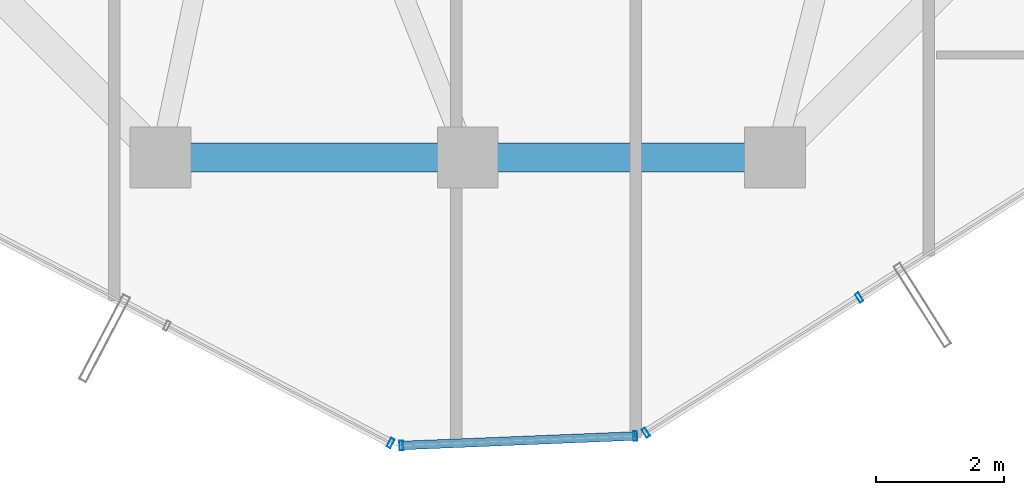
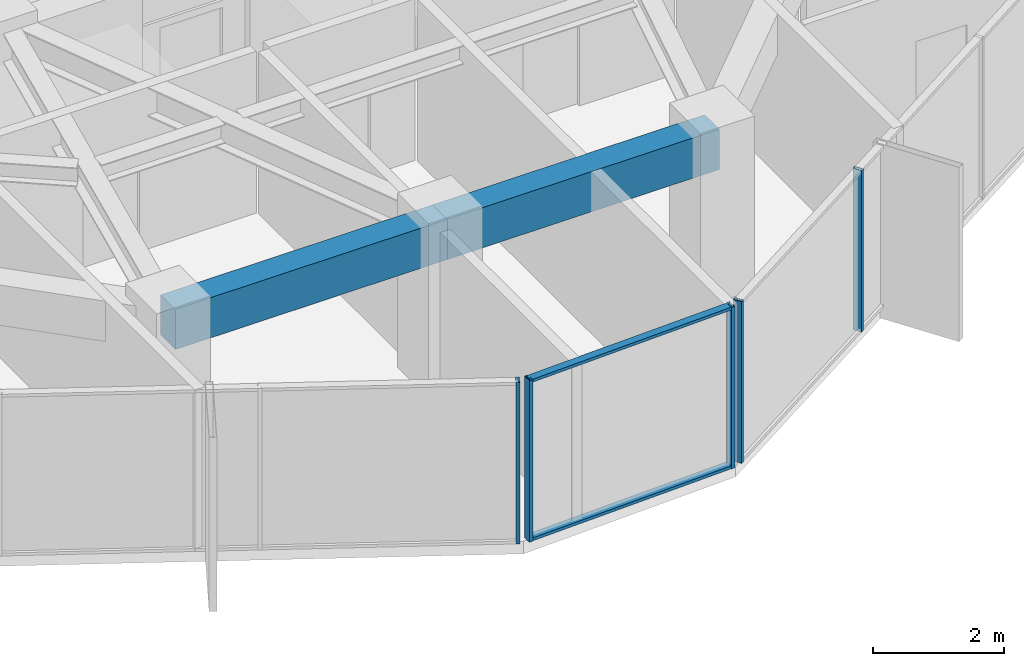
# One storey, part 7 of 33: 7 members, 2 beams, 3 elements without a shape of their own.
"""IFC4 building model written with IfcOpenShell, lengths in metres."""

from ifc_helpers import new_model, si_unit, direction, frame, origin, origin_2d, place, context, subcontext, project, spatial, rectangle, hollow_rectangle, extrude, source, transform, mapped, material, layer, layer_set, material_profile, profile_set, type_object, element, aggregate, save


model = new_model("IFC4")

# Units and contexts
model_context = context("Model", 3, precision=1e-05, world=origin(), true_north=direction((0.0, 1.0)))
body_context = subcontext(model_context, "Body", "Model", "MODEL_VIEW")
ifc_project = project(units=[si_unit("LENGTHUNIT", "METRE"), si_unit("AREAUNIT", "SQUARE_METRE"), si_unit("VOLUMEUNIT", "CUBIC_METRE"), si_unit("PLANEANGLEUNIT", "RADIAN"), si_unit("MASSUNIT", "GRAM", prefix="KILO")], contexts=[model_context])

# Site, building, storey
site_placement = place(None, origin())
site = spatial("IfcSite", under=ifc_project, at=site_placement, CompositionType="ELEMENT")
building_placement = place(site_placement, origin())
building = spatial("IfcBuilding", under=site, at=building_placement, Name="Veraguas Prism Commons", CompositionType="ELEMENT")
storey_placement = place(building_placement, frame((0.0, 0.0, 198.35009765625)))
storey = spatial("IfcBuildingStorey", under=building, at=storey_placement, Name="L56", CompositionType="ELEMENT", Elevation=198.35009765625)

# Beams
ifc_material_1 = material(Name="Concrete C50/60", Category="concrete")
ifc_material_profile_1 = material_profile(ifc_material_1, rectangle(XDim=0.449951171875, YDim=0.75, at=origin_2d()), Name="RC450X750")
ifc_profile_set_1 = profile_set([ifc_material_profile_1], Name="Concrete C50/60")
beam_type = type_object("IfcBeamType", Name="Perimeter Spandrel Upper RC 450x750", PredefinedType="SPANDREL", material=ifc_profile_set_1)
for number, where, z_axis, x_axis, name in (
    (1, (19.199951171875, 9.10009765625, 2.639892578125), (1.0, 0.0, 0.0), (0.0, 1.0, 0.0), "Perimeter Spandrel Beam L56-SP10"),
    (2, (24.0, 9.10009765625, 2.639892578125), (1.0, 0.0, 0.0), (0.0, 1.0, 0.0), "Perimeter Spandrel Beam L56-SP11"),
):
    element("IfcBeam", number, at=place(storey_placement, frame(where, z_axis=z_axis, x_axis=x_axis)), inside=storey, type_object=beam_type, Name=name, PredefinedType="SPANDREL", context=body_context, shape_type="SweptSolid", body=[
        extrude(rectangle(XDim=0.449951171875, YDim=0.75, at=origin_2d()), origin(), (0.0, 0.0, 1.0), 4.800048828125),
    ])

# Curtain wall, member
ifc_material_2 = material(Name="Anodised aluminium EN AW-6063 T6", Category="aluminium")
ifc_layer = layer(ifc_material_2, 0.14990234375, Name="Unitised Flush Curtain Wall Zone 3", Category="aluminium")
ifc_layer_set = layer_set([ifc_layer], Name="Anodised aluminium EN AW-6063 T6")
curtain_wall_type = type_object("IfcCurtainWallType", Name="Unitised Flush Curtain Wall Zone 3", PredefinedType="NOTDEFINED", material=ifc_layer_set)
curtain_wall_1_placement = place(storey_placement, origin())
curtain_wall_1 = element("IfcCurtainWall", 3, at=curtain_wall_1_placement, inside=storey, type_object=curtain_wall_type, Name="Tower Facade Curtain Wall L56-F4", PredefinedType="NOTDEFINED")
ifc_material_profile_2 = material_profile(ifc_material_2, hollow_rectangle(XDim=0.06005859375, YDim=0.14990234375, WallThickness=0.0029296875, at=origin_2d()), Name="AL60X150X3")
ifc_profile_set_2 = profile_set([ifc_material_profile_2], Name="Anodised aluminium EN AW-6063 T6")
member_type_1 = type_object("IfcMemberType", Name="Curtain Wall Mullion Upper AL 60x150x3", PredefinedType="MULLION", material=ifc_profile_set_2)
shared_shape_1 = source(origin(), body_context, "Body", "SweptSolid", [
    extrude(hollow_rectangle(XDim=0.06005859375, YDim=0.14990234375, WallThickness=0.0029296875, at=origin_2d()), origin(), (0.0, 0.0, 1.0), 3.014892578125),
])
member_1_placement = place(storey_placement, frame((22.79443359375, 4.636474609375, 0.0), z_axis=(0.0, 0.0, 1.0), x_axis=(0.885721982014, -0.464216081773, 0.0)))
member_1 = element("IfcMember", 4, at=member_1_placement, type_object=member_type_1, Name="CW-Z3 Mullion 5", PredefinedType="MULLION", context=body_context, shape_type="MappedRepresentation", body=[
    mapped(shared_shape_1, transform((0.0, 0.0, 0.0), scale=1.0)),
])
aggregate(curtain_wall_1, [member_1])

# Curtain wall, members
curtain_wall_2_placement = place(storey_placement, origin())
curtain_wall_2 = element("IfcCurtainWall", 5, at=curtain_wall_2_placement, inside=storey, type_object=curtain_wall_type, Name="Tower Facade Curtain Wall L56-F5", PredefinedType="NOTDEFINED")
member_2_placement = place(storey_placement, frame((26.781494140625, 4.799560546875, 0.0), z_axis=(0.0, 0.0, 1.0), x_axis=(0.844886711646, 0.534945272419, 0.0)))
member_2 = element("IfcMember", 6, at=member_2_placement, type_object=member_type_1, Name="CW-Z3 Mullion 1", PredefinedType="MULLION", context=body_context, shape_type="MappedRepresentation", body=[
    mapped(shared_shape_1, transform((0.0, 0.0, 0.0), scale=1.0)),
])
member_3_placement = place(storey_placement, frame((30.114990234375, 6.91015625, 0.0), z_axis=(0.0, 0.0, 1.0), x_axis=(0.844886711646, 0.534945272419, 0.0)))
member_3 = element("IfcMember", 7, at=member_3_placement, type_object=member_type_1, Name="CW-Z3 Mullion 2", PredefinedType="MULLION", context=body_context, shape_type="MappedRepresentation", body=[
    mapped(shared_shape_1, transform((0.0, 0.0, 0.0), scale=1.0)),
])
aggregate(curtain_wall_2, [member_2, member_3])

curtain_wall_3_placement = place(storey_placement, origin())
curtain_wall_3 = element("IfcCurtainWall", 8, at=curtain_wall_3_placement, inside=storey, type_object=curtain_wall_type, Name="Chamfer Curtain Wall L56-C5", PredefinedType="NOTDEFINED")
member_4_placement = place(storey_placement, frame((22.964111328125, 4.598388671875, 0.0), z_axis=(0.0, 0.0, 1.0), x_axis=(0.999166775565, 0.040813657109, 0.0)))
member_4 = element("IfcMember", 9, at=member_4_placement, type_object=member_type_1, Name="CW-Z3 Mullion 1", PredefinedType="MULLION", context=body_context, shape_type="MappedRepresentation", body=[
    mapped(shared_shape_1, transform((0.0, 0.0, 0.0), scale=1.0)),
])
member_5_placement = place(storey_placement, frame((26.615478515625, 4.74755859375, 0.0), z_axis=(0.0, 0.0, 1.0), x_axis=(0.999166775565, 0.040813657109, 0.0)))
member_5 = element("IfcMember", 10, at=member_5_placement, type_object=member_type_1, Name="CW-Z3 Mullion 2", PredefinedType="MULLION", context=body_context, shape_type="MappedRepresentation", body=[
    mapped(shared_shape_1, transform((0.0, 0.0, 0.0), scale=1.0)),
])
ifc_material_profile_3 = material_profile(ifc_material_2, hollow_rectangle(XDim=0.054931640625, YDim=0.135009765625, WallThickness=0.0029296875, at=origin_2d()), Name="AL55X135X3")
ifc_profile_set_3 = profile_set([ifc_material_profile_3], Name="Anodised aluminium EN AW-6063 T6")
member_type_2 = type_object("IfcMemberType", Name="Curtain Wall Transom Standard AL 55x135x3", PredefinedType="USERDEFINED", material=ifc_profile_set_3)
shared_shape_2 = source(origin(), body_context, "Body", "SweptSolid", [
    extrude(hollow_rectangle(XDim=0.054931640625, YDim=0.135009765625, WallThickness=0.0029296875, at=origin_2d()), origin(), (0.0, 0.0, 1.0), 3.654296875),
])
member_6_placement = place(storey_placement, frame((22.964111328125, 4.598388671875, 0.02734375), z_axis=(0.999166552391, 0.04081912032, 0.0), x_axis=(0.0, 0.0, 1.0)))
member_6 = element("IfcMember", 11, at=member_6_placement, type_object=member_type_2, Name="CW-Z3 Transom 1", ObjectType="TRANSOM", PredefinedType="USERDEFINED", context=body_context, shape_type="MappedRepresentation", body=[
    mapped(shared_shape_2, transform((0.0, 0.0, 0.0), scale=1.0)),
])
member_7_placement = place(storey_placement, frame((22.964111328125, 4.598388671875, 2.9873046875), z_axis=(0.999166552391, 0.04081912032, 0.0), x_axis=(0.0, 0.0, 1.0)))
member_7 = element("IfcMember", 12, at=member_7_placement, type_object=member_type_2, Name="CW-Z3 Transom 2", ObjectType="TRANSOM", PredefinedType="USERDEFINED", context=body_context, shape_type="MappedRepresentation", body=[
    mapped(shared_shape_2, transform((0.0, 0.0, 0.0), scale=1.0)),
])
aggregate(curtain_wall_3, [member_4, member_5, member_6, member_7])

save(model, "model.ifc")
